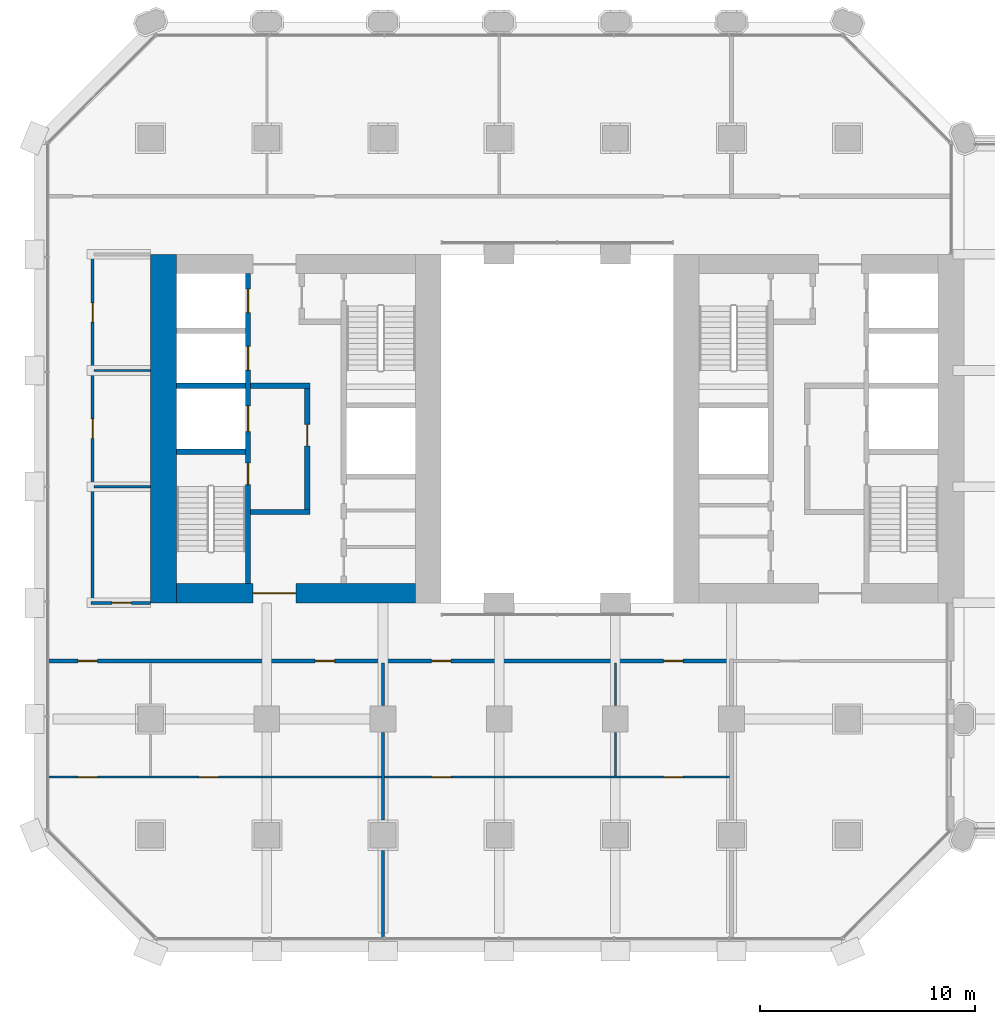
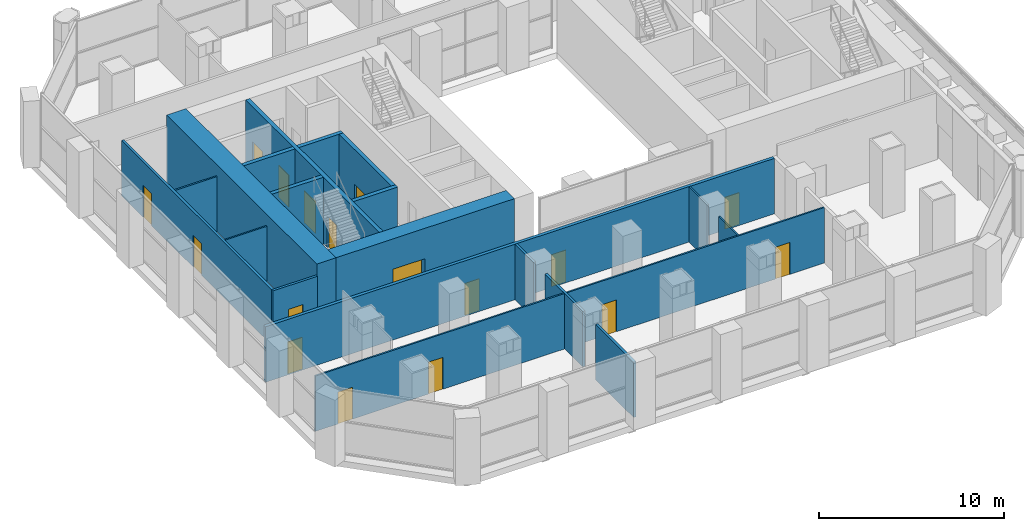
# One storey, part 27 of 42: 20 walls, 17 doors, 17 openings.
"""IFC4 building model written with IfcOpenShell, lengths in metres."""

from ifc_helpers import new_model, si_unit, direction, frame, frame_2d, origin, place, context, subcontext, project, spatial, rectangle, extrude, material, layer, layer_set, type_object, element, fill, save


model = new_model("IFC4")

# Units and contexts
model_context = context("Model", 3, precision=1e-05, world=origin(), true_north=direction((0.0, 1.0)))
body_context = subcontext(model_context, "Body", "Model", "MODEL_VIEW")
ifc_project = project(units=[si_unit("LENGTHUNIT", "METRE"), si_unit("AREAUNIT", "SQUARE_METRE"), si_unit("VOLUMEUNIT", "CUBIC_METRE"), si_unit("PLANEANGLEUNIT", "RADIAN"), si_unit("MASSUNIT", "GRAM", prefix="KILO")], contexts=[model_context])

# Site, building, storey
site_placement = place(None, origin())
site = spatial("IfcSite", under=ifc_project, at=site_placement, CompositionType="ELEMENT")
building_placement = place(site_placement, origin())
building = spatial("IfcBuilding", under=site, at=building_placement, Name="Tabaq Tower and Sports Hall", CompositionType="ELEMENT")
storey_placement = place(building_placement, frame((0.0, 0.0, 19.800048828125)))
storey = spatial("IfcBuildingStorey", under=building, at=storey_placement, Name="L03", CompositionType="ELEMENT", Elevation=19.800048828125)

# Wall
ifc_material_1 = material(Name="Concrete C60/75", Category="concrete")
ifc_layer_1 = layer(ifc_material_1, 1.199951171875)
ifc_layer_set_1 = layer_set([ifc_layer_1], Name="Core wall 1200 Concrete C60/75")
wall_type_1 = type_object("IfcWallType", Name="Core wall 1200 Concrete C60/75", PredefinedType="SOLIDWALL", material=ifc_layer_set_1)
wall_1_placement = place(storey_placement, frame((6.0, 16.199951171875, 0.0), z_axis=(0.0, 0.0, 1.0), x_axis=(0.0, 1.0, 0.0)))
element("IfcWall", 1, at=wall_1_placement, inside=storey, type_object=wall_type_1, Name="Core wall W L03", PredefinedType="SOLIDWALL", context=body_context, shape_type="SweptSolid", body=[
    extrude(rectangle(XDim=16.199951171875, YDim=1.199951171875, at=frame_2d((8.10009765625, 0.0))), origin(), (0.0, 0.0, 1.0), 4.39990234375),
])

# Wall, opening, door
ifc_material_2 = material(Name="Concrete C60/75", Category="concrete")
ifc_layer_2 = layer(ifc_material_2, 0.89990234375)
ifc_layer_set_2 = layer_set([ifc_layer_2], Name="Core wall 900 Concrete C60/75")
wall_type_2 = type_object("IfcWallType", Name="Core wall 900 Concrete C60/75", PredefinedType="SOLIDWALL", material=ifc_layer_set_2)
wall_2_placement = place(storey_placement, frame((17.699951171875, 16.64990234375, 0.0), z_axis=(0.0, 0.0, 1.0), x_axis=(-1.0, 0.0, 0.0)))
wall_2 = element("IfcWall", 2, at=wall_2_placement, inside=storey, type_object=wall_type_2, Name="Core wall W L03", PredefinedType="SOLIDWALL", context=body_context, shape_type="SweptSolid", body=[
    extrude(rectangle(XDim=11.099853515625, YDim=0.89990234375, at=frame_2d((5.5498046875, 0.0))), origin(), (0.0, 0.0, 1.0), 4.39990234375),
])
opening_1_placement = place(wall_2_placement, frame((5.550048828125, 0.0, 0.0)))
opening_1 = element("IfcOpeningElement", 3, at=opening_1_placement, cuts=wall_2, Name="Opening PD-WL03-01", PredefinedType="OPENING", context=body_context, shape_type="SweptSolid", body=[
    extrude(rectangle(XDim=2.0, YDim=2.39990234375, at=frame_2d((1.0, 1.199951171875))), frame((0.0, 0.449951171875, 0.0), z_axis=(0.0, -1.0, 0.0), x_axis=(1.0, 0.0, 0.0)), (0.0, 0.0, 1.0), 0.89990234375),
])
ifc_material_3 = material(Name="Steel fire door", Category="steel")
door_type_1 = type_object("IfcDoorType", Name="Core entrance door 2000", OperationType="DOUBLE_DOOR_SINGLE_SWING", PredefinedType="DOOR", material=ifc_material_3)
door_1_placement = place(opening_1_placement, origin())
door_1 = element("IfcDoor", 4, at=door_1_placement, inside=storey, type_object=door_type_1, Name="Core entrance south W L03", OperationType="DOUBLE_DOOR_SINGLE_SWING", OverallHeight=2.39990234375, OverallWidth=2.0, PredefinedType="DOOR", context=body_context, shape_type="SweptSolid", body=[
    extrude(rectangle(XDim=2.0, YDim=2.39990234375, at=frame_2d((1.0, 1.199951171875))), frame((0.0, 0.02490234375, 0.0), z_axis=(0.0, -1.0, 0.0), x_axis=(1.0, 0.0, 0.0)), (0.0, 0.0, 1.0), 0.050048828125),
])
fill(opening_1, door_1)

# Wall, openings, doors
ifc_material_4 = material(Name="Blockwork", Category="masonry")
ifc_layer_3 = layer(ifc_material_4, 0.199951171875)
ifc_layer_set_3 = layer_set([ifc_layer_3], Name="Fire compartment wall 200 Blockwork")
wall_type_3 = type_object("IfcWallType", Name="Fire compartment wall 200 Blockwork", PredefinedType="PARTITIONING", material=ifc_layer_set_3)
wall_3_placement = place(storey_placement, frame((0.60009765625, 13.5, 0.0), z_axis=(0.0, 0.0, 1.0), x_axis=(1.0, 0.0, 0.0)))
wall_3 = element("IfcWall", 5, at=wall_3_placement, inside=storey, type_object=wall_type_3, Name="Compartment wall L03", PredefinedType="PARTITIONING", context=body_context, shape_type="SweptSolid", body=[
    extrude(rectangle(XDim=31.699951171875, YDim=0.199951171875, at=frame_2d((15.85009765625, 0.0))), origin(), (0.0, 0.0, 1.0), 3.64990234375),
])
opening_2_placement = place(wall_3_placement, frame((12.449951171875, 0.0, 0.0)))
opening_2 = element("IfcOpeningElement", 6, at=opening_2_placement, cuts=wall_3, Name="Opening L03-009", PredefinedType="OPENING", context=body_context, shape_type="SweptSolid", body=[
    extrude(rectangle(XDim=0.89990234375, YDim=2.10009765625, at=frame_2d((0.449951171875, 1.050048828125))), frame((0.0, 0.10009765625, 0.0), z_axis=(0.0, -1.0, 0.0), x_axis=(1.0, 0.0, 0.0)), (0.0, 0.0, 1.0), 0.199951171875),
])
opening_3_placement = place(wall_3_placement, frame((1.425048828125, 0.0, 0.0)))
opening_3 = element("IfcOpeningElement", 7, at=opening_3_placement, cuts=wall_3, Name="Opening L03-010", PredefinedType="OPENING", context=body_context, shape_type="SweptSolid", body=[
    extrude(rectangle(XDim=0.89990234375, YDim=2.10009765625, at=frame_2d((0.449951171875, 1.050048828125))), frame((0.0, 0.10009765625, 0.0), z_axis=(0.0, -1.0, 0.0), x_axis=(1.0, 0.0, 0.0)), (0.0, 0.0, 1.0), 0.199951171875),
])
opening_4_placement = place(wall_3_placement, frame((17.85009765625, 0.0, 0.0)))
opening_4 = element("IfcOpeningElement", 8, at=opening_4_placement, cuts=wall_3, Name="Opening L03-011", PredefinedType="OPENING", context=body_context, shape_type="SweptSolid", body=[
    extrude(rectangle(XDim=0.89990234375, YDim=2.10009765625, at=frame_2d((0.449951171875, 1.050048828125))), frame((0.0, 0.10009765625, 0.0), z_axis=(0.0, -1.0, 0.0), x_axis=(1.0, 0.0, 0.0)), (0.0, 0.0, 1.0), 0.199951171875),
])
opening_5_placement = place(wall_3_placement, frame((28.64990234375, 0.0, 0.0)))
opening_5 = element("IfcOpeningElement", 9, at=opening_5_placement, cuts=wall_3, Name="Opening L03-012", PredefinedType="OPENING", context=body_context, shape_type="SweptSolid", body=[
    extrude(rectangle(XDim=0.89990234375, YDim=2.10009765625, at=frame_2d((0.449951171875, 1.050048828125))), frame((0.0, 0.10009765625, 0.0), z_axis=(0.0, -1.0, 0.0), x_axis=(1.0, 0.0, 0.0)), (0.0, 0.0, 1.0), 0.199951171875),
])
ifc_material_5 = material(Name="Steel fire door", Category="steel")
door_type_2 = type_object("IfcDoorType", Name="Entrance door 900 left hand", OperationType="SINGLE_SWING_LEFT", PredefinedType="DOOR", material=ifc_material_5)
door_2_placement = place(opening_2_placement, origin())
door_2 = element("IfcDoor", 10, at=door_2_placement, inside=storey, type_object=door_type_2, Name="Entrance door L03-009", OperationType="SINGLE_SWING_LEFT", OverallHeight=2.10009765625, OverallWidth=0.89990234375, PredefinedType="DOOR", context=body_context, shape_type="SweptSolid", body=[
    extrude(rectangle(XDim=0.89990234375, YDim=2.10009765625, at=frame_2d((0.449951171875, 1.050048828125))), frame((0.0, 0.02490234375, 0.0), z_axis=(0.0, -1.0, 0.0), x_axis=(1.0, 0.0, 0.0)), (0.0, 0.0, 1.0), 0.050048828125),
])
fill(opening_2, door_2)
door_3_placement = place(opening_5_placement, origin())
door_3 = element("IfcDoor", 11, at=door_3_placement, inside=storey, type_object=door_type_2, Name="Entrance door L03-012", OperationType="SINGLE_SWING_LEFT", OverallHeight=2.10009765625, OverallWidth=0.89990234375, PredefinedType="DOOR", context=body_context, shape_type="SweptSolid", body=[
    extrude(rectangle(XDim=0.89990234375, YDim=2.10009765625, at=frame_2d((0.449951171875, 1.050048828125))), frame((0.0, 0.02490234375, 0.0), z_axis=(0.0, -1.0, 0.0), x_axis=(1.0, 0.0, 0.0)), (0.0, 0.0, 1.0), 0.050048828125),
])
fill(opening_5, door_3)
ifc_material_6 = material(Name="Steel fire door", Category="steel")
door_type_3 = type_object("IfcDoorType", Name="Entrance door 900 right hand", OperationType="SINGLE_SWING_RIGHT", PredefinedType="DOOR", material=ifc_material_6)
door_4_placement = place(opening_3_placement, origin())
door_4 = element("IfcDoor", 12, at=door_4_placement, inside=storey, type_object=door_type_3, Name="Entrance door L03-010", OperationType="SINGLE_SWING_RIGHT", OverallHeight=2.10009765625, OverallWidth=0.89990234375, PredefinedType="DOOR", context=body_context, shape_type="SweptSolid", body=[
    extrude(rectangle(XDim=0.89990234375, YDim=2.10009765625, at=frame_2d((0.449951171875, 1.050048828125))), frame((0.0, 0.02490234375, 0.0), z_axis=(0.0, -1.0, 0.0), x_axis=(1.0, 0.0, 0.0)), (0.0, 0.0, 1.0), 0.050048828125),
])
fill(opening_3, door_4)
door_5_placement = place(opening_4_placement, origin())
door_5 = element("IfcDoor", 13, at=door_5_placement, inside=storey, type_object=door_type_3, Name="Entrance door L03-011", OperationType="SINGLE_SWING_RIGHT", OverallHeight=2.10009765625, OverallWidth=0.89990234375, PredefinedType="DOOR", context=body_context, shape_type="SweptSolid", body=[
    extrude(rectangle(XDim=0.89990234375, YDim=2.10009765625, at=frame_2d((0.449951171875, 1.050048828125))), frame((0.0, 0.02490234375, 0.0), z_axis=(0.0, -1.0, 0.0), x_axis=(1.0, 0.0, 0.0)), (0.0, 0.0, 1.0), 0.050048828125),
])
fill(opening_4, door_5)

ifc_material_7 = material(Name="Gypsum board on steel studs", Category="steel")
ifc_layer_4 = layer(ifc_material_7, 0.10009765625)
ifc_layer_set_4 = layer_set([ifc_layer_4], Name="Partition 100 Gypsum board")
wall_type_4 = type_object("IfcWallType", Name="Partition 100 Gypsum board", PredefinedType="PARTITIONING", material=ifc_layer_set_4)
wall_4_placement = place(storey_placement, frame((16.125, 8.10009765625, 0.0), z_axis=(0.0, 0.0, 1.0), x_axis=(-1.0, 0.0, 0.0)))
wall_4 = element("IfcWall", 14, at=wall_4_placement, inside=storey, type_object=wall_type_4, Name="Partition wall L03", PredefinedType="PARTITIONING", context=body_context, shape_type="SweptSolid", body=[
    extrude(rectangle(XDim=15.52490234375, YDim=0.10009765625, at=frame_2d((7.762451171875, 0.0))), origin(), (0.0, 0.0, 1.0), 3.64990234375),
])
opening_6_placement = place(wall_4_placement, frame((7.574951171875, 0.0, 0.0)))
opening_6 = element("IfcOpeningElement", 15, at=opening_6_placement, cuts=wall_4, Name="Opening L03-013", PredefinedType="OPENING", context=body_context, shape_type="SweptSolid", body=[
    extrude(rectangle(XDim=0.89990234375, YDim=2.10009765625, at=frame_2d((0.449951171875, 1.050048828125))), frame((0.0, 0.050048828125, 0.0), z_axis=(0.0, -1.0, 0.0), x_axis=(1.0, 0.0, 0.0)), (0.0, 0.0, 1.0), 0.10009765625),
])
opening_7_placement = place(wall_4_placement, frame((13.199951171875, 0.0, 0.0)))
opening_7 = element("IfcOpeningElement", 16, at=opening_7_placement, cuts=wall_4, Name="Opening L03-014", PredefinedType="OPENING", context=body_context, shape_type="SweptSolid", body=[
    extrude(rectangle(XDim=0.89990234375, YDim=2.10009765625, at=frame_2d((0.449951171875, 1.050048828125))), frame((0.0, 0.050048828125, 0.0), z_axis=(0.0, -1.0, 0.0), x_axis=(1.0, 0.0, 0.0)), (0.0, 0.0, 1.0), 0.10009765625),
])
ifc_material_8 = material(Name="Timber leaf in steel frame", Category="steel")
door_type_4 = type_object("IfcDoorType", Name="Internal door 900 left hand", OperationType="SINGLE_SWING_LEFT", PredefinedType="DOOR", material=ifc_material_8)
door_6_placement = place(opening_7_placement, origin())
door_6 = element("IfcDoor", 17, at=door_6_placement, inside=storey, type_object=door_type_4, Name="Internal door L03-014", OperationType="SINGLE_SWING_LEFT", OverallHeight=2.10009765625, OverallWidth=0.89990234375, PredefinedType="DOOR", context=body_context, shape_type="SweptSolid", body=[
    extrude(rectangle(XDim=0.89990234375, YDim=2.10009765625, at=frame_2d((0.449951171875, 1.050048828125))), frame((0.0, 0.02490234375, 0.0), z_axis=(0.0, -1.0, 0.0), x_axis=(1.0, 0.0, 0.0)), (0.0, 0.0, 1.0), 0.050048828125),
])
fill(opening_7, door_6)
ifc_material_9 = material(Name="Timber leaf in steel frame", Category="steel")
door_type_5 = type_object("IfcDoorType", Name="Internal door 900 right hand", OperationType="SINGLE_SWING_RIGHT", PredefinedType="DOOR", material=ifc_material_9)
door_7_placement = place(opening_6_placement, origin())
door_7 = element("IfcDoor", 18, at=door_7_placement, inside=storey, type_object=door_type_5, Name="Internal door L03-013", OperationType="SINGLE_SWING_RIGHT", OverallHeight=2.10009765625, OverallWidth=0.89990234375, PredefinedType="DOOR", context=body_context, shape_type="SweptSolid", body=[
    extrude(rectangle(XDim=0.89990234375, YDim=2.10009765625, at=frame_2d((0.449951171875, 1.050048828125))), frame((0.0, 0.02490234375, 0.0), z_axis=(0.0, -1.0, 0.0), x_axis=(1.0, 0.0, 0.0)), (0.0, 0.0, 1.0), 0.050048828125),
])
fill(opening_6, door_7)

wall_5_placement = place(storey_placement, frame((32.300048828125, 8.10009765625, 0.0), z_axis=(0.0, 0.0, 1.0), x_axis=(-1.0, 0.0, 0.0)))
wall_5 = element("IfcWall", 19, at=wall_5_placement, inside=storey, type_object=wall_type_4, Name="Partition wall L03", PredefinedType="PARTITIONING", context=body_context, shape_type="SweptSolid", body=[
    extrude(rectangle(XDim=16.025146484375, YDim=0.10009765625, at=frame_2d((8.0126953125, 0.0))), origin(), (0.0, 0.0, 1.0), 3.64990234375),
])
opening_8_placement = place(wall_5_placement, frame((12.949951171875, 0.0, 0.0)))
opening_8 = element("IfcOpeningElement", 20, at=opening_8_placement, cuts=wall_5, Name="Opening L03-015", PredefinedType="OPENING", context=body_context, shape_type="SweptSolid", body=[
    extrude(rectangle(XDim=0.89990234375, YDim=2.10009765625, at=frame_2d((0.449951171875, 1.050048828125))), frame((0.0, 0.050048828125, 0.0), z_axis=(0.0, -1.0, 0.0), x_axis=(1.0, 0.0, 0.0)), (0.0, 0.0, 1.0), 0.10009765625),
])
opening_9_placement = place(wall_5_placement, frame((2.14990234375, 0.0, 0.0)))
opening_9 = element("IfcOpeningElement", 21, at=opening_9_placement, cuts=wall_5, Name="Opening L03-016", PredefinedType="OPENING", context=body_context, shape_type="SweptSolid", body=[
    extrude(rectangle(XDim=0.89990234375, YDim=2.10009765625, at=frame_2d((0.449951171875, 1.050048828125))), frame((0.0, 0.050048828125, 0.0), z_axis=(0.0, -1.0, 0.0), x_axis=(1.0, 0.0, 0.0)), (0.0, 0.0, 1.0), 0.10009765625),
])
door_8_placement = place(opening_9_placement, origin())
door_8 = element("IfcDoor", 22, at=door_8_placement, inside=storey, type_object=door_type_4, Name="Internal door L03-016", OperationType="SINGLE_SWING_LEFT", OverallHeight=2.10009765625, OverallWidth=0.89990234375, PredefinedType="DOOR", context=body_context, shape_type="SweptSolid", body=[
    extrude(rectangle(XDim=0.89990234375, YDim=2.10009765625, at=frame_2d((0.449951171875, 1.050048828125))), frame((0.0, 0.02490234375, 0.0), z_axis=(0.0, -1.0, 0.0), x_axis=(1.0, 0.0, 0.0)), (0.0, 0.0, 1.0), 0.050048828125),
])
fill(opening_9, door_8)
door_9_placement = place(opening_8_placement, origin())
door_9 = element("IfcDoor", 23, at=door_9_placement, inside=storey, type_object=door_type_5, Name="Internal door L03-015", OperationType="SINGLE_SWING_RIGHT", OverallHeight=2.10009765625, OverallWidth=0.89990234375, PredefinedType="DOOR", context=body_context, shape_type="SweptSolid", body=[
    extrude(rectangle(XDim=0.89990234375, YDim=2.10009765625, at=frame_2d((0.449951171875, 1.050048828125))), frame((0.0, 0.02490234375, 0.0), z_axis=(0.0, -1.0, 0.0), x_axis=(1.0, 0.0, 0.0)), (0.0, 0.0, 1.0), 0.050048828125),
])
fill(opening_8, door_9)

# Walls
wall_6_placement = place(storey_placement, frame((27.0, 8.14990234375, 0.0), z_axis=(0.0, 0.0, 1.0), x_axis=(0.0, 1.0, 0.0)))
element("IfcWall", 24, at=wall_6_placement, inside=storey, type_object=wall_type_4, Name="Partition wall L03", PredefinedType="PARTITIONING", context=body_context, shape_type="SweptSolid", body=[
    extrude(rectangle(XDim=2.030029296875, YDim=0.10009765625, at=frame_2d((1.01513671875, 0.0))), origin(), (0.0, 0.0, 1.0), 3.64990234375),
])
wall_7_placement = place(storey_placement, frame((27.0, 11.419921875, 0.0), z_axis=(0.0, 0.0, 1.0), x_axis=(0.0, 1.0, 0.0)))
element("IfcWall", 25, at=wall_7_placement, inside=storey, type_object=wall_type_4, Name="Partition wall L03", PredefinedType="PARTITIONING", context=body_context, shape_type="SweptSolid", body=[
    extrude(rectangle(XDim=1.97998046875, YDim=0.10009765625, at=frame_2d((0.989990234375, 0.0))), origin(), (0.0, 0.0, 1.0), 3.64990234375),
])
for number, where, z_axis, x_axis, name in (
    (26, (5.39990234375, 21.60009765625, 0.0), (0.0, 0.0, 1.0), (-1.0, 0.0, 0.0), "Partition wall L03"),
    (27, (5.39990234375, 27.0, 0.0), (0.0, 0.0, 1.0), (-1.0, 0.0, 0.0), "Partition wall L03"),
):
    element("IfcWall", number, at=place(storey_placement, frame(where, z_axis=z_axis, x_axis=x_axis)), inside=storey, type_object=wall_type_4, Name=name, PredefinedType="PARTITIONING", context=body_context, shape_type="SweptSolid", body=[
        extrude(rectangle(XDim=2.625, YDim=0.10009765625, at=frame_2d((1.3125, 0.0))), origin(), (0.0, 0.0, 1.0), 3.64990234375),
    ])

# Wall, opening, door
ifc_material_10 = material(Name="Blockwork", Category="masonry")
ifc_layer_5 = layer(ifc_material_10, 0.14990234375)
ifc_layer_set_5 = layer_set([ifc_layer_5], Name="Separating wall 150 Blockwork")
wall_type_5 = type_object("IfcWallType", Name="Separating wall 150 Blockwork", PredefinedType="PARTITIONING", material=ifc_layer_set_5)
wall_8_placement = place(storey_placement, frame((5.39990234375, 16.199951171875, 0.0), z_axis=(0.0, 0.0, 1.0), x_axis=(-1.0, 0.0, 0.0)))
wall_8 = element("IfcWall", 28, at=wall_8_placement, inside=storey, type_object=wall_type_5, Name="Separating wall L03", PredefinedType="PARTITIONING", context=body_context, shape_type="SweptSolid", body=[
    extrude(rectangle(XDim=2.77490234375, YDim=0.14990234375, at=frame_2d((1.387451171875, 0.0))), origin(), (0.0, 0.0, 1.0), 3.64990234375),
])
opening_10_placement = place(wall_8_placement, frame((0.89990234375, 0.0, 0.0)))
opening_10 = element("IfcOpeningElement", 29, at=opening_10_placement, cuts=wall_8, Name="Opening L03-006", PredefinedType="OPENING", context=body_context, shape_type="SweptSolid", body=[
    extrude(rectangle(XDim=0.89990234375, YDim=2.10009765625, at=frame_2d((0.449951171875, 1.050048828125))), frame((0.0, 0.074951171875, 0.0), z_axis=(0.0, -1.0, 0.0), x_axis=(1.0, 0.0, 0.0)), (0.0, 0.0, 1.0), 0.14990234375),
])
door_10_placement = place(opening_10_placement, origin())
door_10 = element("IfcDoor", 30, at=door_10_placement, inside=storey, type_object=door_type_5, Name="Internal door L03-006", OperationType="SINGLE_SWING_RIGHT", OverallHeight=2.10009765625, OverallWidth=0.89990234375, PredefinedType="DOOR", context=body_context, shape_type="SweptSolid", body=[
    extrude(rectangle(XDim=0.89990234375, YDim=2.10009765625, at=frame_2d((0.449951171875, 1.050048828125))), frame((0.0, 0.02490234375, 0.0), z_axis=(0.0, -1.0, 0.0), x_axis=(1.0, 0.0, 0.0)), (0.0, 0.0, 1.0), 0.050048828125),
])
fill(opening_10, door_10)

# Wall, openings, doors
wall_9_placement = place(storey_placement, frame((2.699951171875, 16.27490234375, 0.0), z_axis=(0.0, 0.0, 1.0), x_axis=(0.0, 1.0, 0.0)))
wall_9 = element("IfcWall", 31, at=wall_9_placement, inside=storey, type_object=wall_type_5, Name="Separating wall L03", PredefinedType="PARTITIONING", context=body_context, shape_type="SweptSolid", body=[
    extrude(rectangle(XDim=16.2001953125, YDim=0.14990234375, at=frame_2d((8.10009765625, 0.0))), origin(), (0.0, 0.0, 1.0), 3.64990234375),
])
opening_11_placement = place(wall_9_placement, frame((7.574951171875, 0.0, 0.0)))
opening_11 = element("IfcOpeningElement", 32, at=opening_11_placement, cuts=wall_9, Name="Opening L03-007", PredefinedType="OPENING", context=body_context, shape_type="SweptSolid", body=[
    extrude(rectangle(XDim=0.89990234375, YDim=2.10009765625, at=frame_2d((0.449951171875, 1.050048828125))), frame((0.0, 0.074951171875, 0.0), z_axis=(0.0, -1.0, 0.0), x_axis=(1.0, 0.0, 0.0)), (0.0, 0.0, 1.0), 0.14990234375),
])
opening_12_placement = place(wall_9_placement, frame((12.97509765625, 0.0, 0.0)))
opening_12 = element("IfcOpeningElement", 33, at=opening_12_placement, cuts=wall_9, Name="Opening L03-008", PredefinedType="OPENING", context=body_context, shape_type="SweptSolid", body=[
    extrude(rectangle(XDim=0.89990234375, YDim=2.10009765625, at=frame_2d((0.449951171875, 1.050048828125))), frame((0.0, 0.074951171875, 0.0), z_axis=(0.0, -1.0, 0.0), x_axis=(1.0, 0.0, 0.0)), (0.0, 0.0, 1.0), 0.14990234375),
])
door_11_placement = place(opening_11_placement, origin())
door_11 = element("IfcDoor", 34, at=door_11_placement, inside=storey, type_object=door_type_5, Name="Internal door L03-007", OperationType="SINGLE_SWING_RIGHT", OverallHeight=2.10009765625, OverallWidth=0.89990234375, PredefinedType="DOOR", context=body_context, shape_type="SweptSolid", body=[
    extrude(rectangle(XDim=0.89990234375, YDim=2.10009765625, at=frame_2d((0.449951171875, 1.050048828125))), frame((0.0, 0.02490234375, 0.0), z_axis=(0.0, -1.0, 0.0), x_axis=(1.0, 0.0, 0.0)), (0.0, 0.0, 1.0), 0.050048828125),
])
fill(opening_11, door_11)
door_12_placement = place(opening_12_placement, origin())
door_12 = element("IfcDoor", 35, at=door_12_placement, inside=storey, type_object=door_type_5, Name="Internal door L03-008", OperationType="SINGLE_SWING_RIGHT", OverallHeight=2.10009765625, OverallWidth=0.89990234375, PredefinedType="DOOR", context=body_context, shape_type="SweptSolid", body=[
    extrude(rectangle(XDim=0.89990234375, YDim=2.10009765625, at=frame_2d((0.449951171875, 1.050048828125))), frame((0.0, 0.02490234375, 0.0), z_axis=(0.0, -1.0, 0.0), x_axis=(1.0, 0.0, 0.0)), (0.0, 0.0, 1.0), 0.050048828125),
])
fill(opening_12, door_12)

# Walls
wall_10_placement = place(storey_placement, frame((16.199951171875, 0.60009765625, 0.0), z_axis=(0.0, 0.0, 1.0), x_axis=(0.0, 1.0, 0.0)))
element("IfcWall", 36, at=wall_10_placement, inside=storey, type_object=wall_type_5, Name="Separating wall L03", PredefinedType="PARTITIONING", context=body_context, shape_type="SweptSolid", body=[
    extrude(rectangle(XDim=4.09912109375, YDim=0.14990234375, at=frame_2d((2.049560546875, 0.0))), origin(), (0.0, 0.0, 1.0), 3.64990234375),
])
wall_11_placement = place(storey_placement, frame((16.199951171875, 6.1005859375, 0.0), z_axis=(0.0, 0.0, 1.0), x_axis=(0.0, 1.0, 0.0)))
element("IfcWall", 37, at=wall_11_placement, inside=storey, type_object=wall_type_5, Name="Separating wall L03", PredefinedType="PARTITIONING", context=body_context, shape_type="SweptSolid", body=[
    extrude(rectangle(XDim=4.079345703125, YDim=0.14990234375, at=frame_2d((2.03955078125, 0.0))), origin(), (0.0, 0.0, 1.0), 3.64990234375),
])
wall_12_placement = place(storey_placement, frame((16.199951171875, 11.419921875, 0.0), z_axis=(0.0, 0.0, 1.0), x_axis=(0.0, 1.0, 0.0)))
element("IfcWall", 38, at=wall_12_placement, inside=storey, type_object=wall_type_5, Name="Separating wall L03", PredefinedType="PARTITIONING", context=body_context, shape_type="SweptSolid", body=[
    extrude(rectangle(XDim=1.97998046875, YDim=0.14990234375, at=frame_2d((0.989990234375, 0.0))), origin(), (0.0, 0.0, 1.0), 3.64990234375),
])

# Wall, openings, doors
ifc_material_11 = material(Name="Concrete C40/50", Category="concrete")
ifc_layer_6 = layer(ifc_material_11, 0.25)
ifc_layer_set_6 = layer_set([ifc_layer_6], Name="Shaft and stair wall 250 Concrete C40/50")
wall_type_6 = type_object("IfcWallType", Name="Shaft and stair wall 250 Concrete C40/50", PredefinedType="SOLIDWALL", material=ifc_layer_set_6)
wall_13_placement = place(storey_placement, frame((9.925048828125, 17.10009765625, 0.0), z_axis=(0.0, 0.0, 1.0), x_axis=(0.0, 1.0, 0.0)))
wall_13 = element("IfcWall", 39, at=wall_13_placement, inside=storey, type_object=wall_type_6, Name="Shaft wall W L03", PredefinedType="SOLIDWALL", context=body_context, shape_type="SweptSolid", body=[
    extrude(rectangle(XDim=14.39990234375, YDim=0.25, at=frame_2d((7.199951171875, 0.0))), origin(), (0.0, 0.0, 1.0), 4.39990234375),
])
opening_13_placement = place(wall_13_placement, frame((4.60009765625, 0.0, 0.0)))
opening_13 = element("IfcOpeningElement", 40, at=opening_13_placement, cuts=wall_13, Name="Opening SD-WL03-03", PredefinedType="OPENING", context=body_context, shape_type="SweptSolid", body=[
    extrude(rectangle(XDim=1.0, YDim=2.10009765625, at=frame_2d((0.5, 1.050048828125))), frame((0.0, 0.125, 0.0), z_axis=(0.0, -1.0, 0.0), x_axis=(1.0, 0.0, 0.0)), (0.0, 0.0, 1.0), 0.25),
])
opening_14_placement = place(wall_13_placement, frame((7.0625, 0.0, 0.0)))
opening_14 = element("IfcOpeningElement", 41, at=opening_14_placement, cuts=wall_13, Name="Opening LD-FF1-L03", PredefinedType="OPENING", context=body_context, shape_type="SweptSolid", body=[
    extrude(rectangle(XDim=1.199951171875, YDim=2.10009765625, at=frame_2d((0.60009765625, 1.050048828125))), frame((0.0, 0.125, 0.0), z_axis=(0.0, -1.0, 0.0), x_axis=(1.0, 0.0, 0.0)), (0.0, 0.0, 1.0), 0.25),
])
opening_15_placement = place(wall_13_placement, frame((9.925048828125, 0.0, 0.0)))
opening_15 = element("IfcOpeningElement", 42, at=opening_15_placement, cuts=wall_13, Name="Opening LD-LR1-L03", PredefinedType="OPENING", context=body_context, shape_type="SweptSolid", body=[
    extrude(rectangle(XDim=1.10009765625, YDim=2.10009765625, at=frame_2d((0.550048828125, 1.050048828125))), frame((0.0, 0.125, 0.0), z_axis=(0.0, -1.0, 0.0), x_axis=(1.0, 0.0, 0.0)), (0.0, 0.0, 1.0), 0.25),
])
opening_16_placement = place(wall_13_placement, frame((12.58740234375, 0.0, 0.0)))
opening_16 = element("IfcOpeningElement", 43, at=opening_16_placement, cuts=wall_13, Name="Opening LD-LR2-L03", PredefinedType="OPENING", context=body_context, shape_type="SweptSolid", body=[
    extrude(rectangle(XDim=1.10009765625, YDim=2.10009765625, at=frame_2d((0.550048828125, 1.050048828125))), frame((0.0, 0.125, 0.0), z_axis=(0.0, -1.0, 0.0), x_axis=(1.0, 0.0, 0.0)), (0.0, 0.0, 1.0), 0.25),
])
ifc_material_12 = material(Name="Stainless steel", Category="steel")
door_type_6 = type_object("IfcDoorType", Name="Lift landing door 1100", OperationType="DOUBLE_DOOR_SLIDING", PredefinedType="DOOR", material=ifc_material_12)
door_13_placement = place(opening_15_placement, origin())
door_13 = element("IfcDoor", 44, at=door_13_placement, inside=storey, type_object=door_type_6, Name="Lift landing door LR1 W L03", OperationType="DOUBLE_DOOR_SLIDING", OverallHeight=2.10009765625, OverallWidth=1.10009765625, PredefinedType="DOOR", context=body_context, shape_type="SweptSolid", body=[
    extrude(rectangle(XDim=1.10009765625, YDim=2.10009765625, at=frame_2d((0.550048828125, 1.050048828125))), frame((0.0, 0.02490234375, 0.0), z_axis=(0.0, -1.0, 0.0), x_axis=(1.0, 0.0, 0.0)), (0.0, 0.0, 1.0), 0.050048828125),
])
fill(opening_15, door_13)
door_14_placement = place(opening_16_placement, origin())
door_14 = element("IfcDoor", 45, at=door_14_placement, inside=storey, type_object=door_type_6, Name="Lift landing door LR2 W L03", OperationType="DOUBLE_DOOR_SLIDING", OverallHeight=2.10009765625, OverallWidth=1.10009765625, PredefinedType="DOOR", context=body_context, shape_type="SweptSolid", body=[
    extrude(rectangle(XDim=1.10009765625, YDim=2.10009765625, at=frame_2d((0.550048828125, 1.050048828125))), frame((0.0, 0.02490234375, 0.0), z_axis=(0.0, -1.0, 0.0), x_axis=(1.0, 0.0, 0.0)), (0.0, 0.0, 1.0), 0.050048828125),
])
fill(opening_16, door_14)
ifc_material_13 = material(Name="Stainless steel", Category="steel")
door_type_7 = type_object("IfcDoorType", Name="Lift landing door 1200", OperationType="DOUBLE_DOOR_SLIDING", PredefinedType="DOOR", material=ifc_material_13)
door_15_placement = place(opening_14_placement, origin())
door_15 = element("IfcDoor", 46, at=door_15_placement, inside=storey, type_object=door_type_7, Name="Lift landing door FF1 W L03", OperationType="DOUBLE_DOOR_SLIDING", OverallHeight=2.10009765625, OverallWidth=1.199951171875, PredefinedType="DOOR", context=body_context, shape_type="SweptSolid", body=[
    extrude(rectangle(XDim=1.199951171875, YDim=2.10009765625, at=frame_2d((0.60009765625, 1.050048828125))), frame((0.0, 0.02490234375, 0.0), z_axis=(0.0, -1.0, 0.0), x_axis=(1.0, 0.0, 0.0)), (0.0, 0.0, 1.0), 0.050048828125),
])
fill(opening_14, door_15)
ifc_material_14 = material(Name="Steel fire door", Category="steel")
door_type_8 = type_object("IfcDoorType", Name="Stair door 1000", OperationType="SINGLE_SWING_LEFT", PredefinedType="DOOR", material=ifc_material_14)
door_16_placement = place(opening_13_placement, origin())
door_16 = element("IfcDoor", 47, at=door_16_placement, inside=storey, type_object=door_type_8, Name="Stair door ST1 W L03", OperationType="SINGLE_SWING_LEFT", OverallHeight=2.10009765625, OverallWidth=1.0, PredefinedType="DOOR", context=body_context, shape_type="SweptSolid", body=[
    extrude(rectangle(XDim=1.0, YDim=2.10009765625, at=frame_2d((0.5, 1.050048828125))), frame((0.0, 0.02490234375, 0.0), z_axis=(0.0, -1.0, 0.0), x_axis=(1.0, 0.0, 0.0)), (0.0, 0.0, 1.0), 0.050048828125),
])
fill(opening_13, door_16)

# Walls
for number, where, z_axis, x_axis, name in (
    (48, (6.60009765625, 23.22509765625, 0.0), (0.0, 0.0, 1.0), (1.0, 0.0, 0.0), "Stair enclosure wall W L03"),
    (49, (6.60009765625, 26.300048828125, 0.0), (0.0, 0.0, 1.0), (1.0, 0.0, 0.0), "Shaft wall W L03"),
):
    element("IfcWall", number, at=place(storey_placement, frame(where, z_axis=z_axis, x_axis=x_axis)), inside=storey, type_object=wall_type_6, Name=name, PredefinedType="SOLIDWALL", context=body_context, shape_type="SweptSolid", body=[
        extrude(rectangle(XDim=3.199951171875, YDim=0.25, at=frame_2d((1.60009765625, 0.0))), origin(), (0.0, 0.0, 1.0), 4.39990234375),
    ])
for number, where, z_axis, x_axis, name in (
    (50, (10.050048828125, 26.300048828125, 0.0), (0.0, 0.0, 1.0), (1.0, 0.0, 0.0), "Fire-fighting lobby wall W L03"),
    (51, (10.050048828125, 20.425048828125, 0.0), (0.0, 0.0, 1.0), (1.0, 0.0, 0.0), "Fire-fighting lobby wall W L03"),
):
    element("IfcWall", number, at=place(storey_placement, frame(where, z_axis=z_axis, x_axis=x_axis)), inside=storey, type_object=wall_type_6, Name=name, PredefinedType="SOLIDWALL", context=body_context, shape_type="SweptSolid", body=[
        extrude(rectangle(XDim=2.75, YDim=0.25, at=frame_2d((1.375, 0.0))), origin(), (0.0, 0.0, 1.0), 4.39990234375),
    ])

# Wall, opening, door
wall_14_placement = place(storey_placement, frame((12.675048828125, 20.550048828125, 0.0), z_axis=(0.0, 0.0, 1.0), x_axis=(0.0, 1.0, 0.0)))
wall_14 = element("IfcWall", 52, at=wall_14_placement, inside=storey, type_object=wall_type_6, Name="Fire-fighting lobby wall W L03", PredefinedType="SOLIDWALL", context=body_context, shape_type="SweptSolid", body=[
    extrude(rectangle(XDim=5.625, YDim=0.25, at=frame_2d((2.8125, 0.0))), origin(), (0.0, 0.0, 1.0), 4.39990234375),
])
opening_17_placement = place(wall_14_placement, frame((2.949951171875, 0.0, 0.0)))
opening_17 = element("IfcOpeningElement", 53, at=opening_17_placement, cuts=wall_14, Name="Opening FD-WL03-04", PredefinedType="OPENING", context=body_context, shape_type="SweptSolid", body=[
    extrude(rectangle(XDim=1.0, YDim=2.10009765625, at=frame_2d((0.5, 1.050048828125))), frame((0.0, 0.125, 0.0), z_axis=(0.0, -1.0, 0.0), x_axis=(1.0, 0.0, 0.0)), (0.0, 0.0, 1.0), 0.25),
])
ifc_material_15 = material(Name="Steel fire door", Category="steel")
door_type_9 = type_object("IfcDoorType", Name="Fire-fighting lobby door 1000", OperationType="SINGLE_SWING_LEFT", PredefinedType="DOOR", material=ifc_material_15)
door_17_placement = place(opening_17_placement, origin())
door_17 = element("IfcDoor", 54, at=door_17_placement, inside=storey, type_object=door_type_9, Name="Fire-fighting lobby door W L03", OperationType="SINGLE_SWING_LEFT", OverallHeight=2.10009765625, OverallWidth=1.0, PredefinedType="DOOR", context=body_context, shape_type="SweptSolid", body=[
    extrude(rectangle(XDim=1.0, YDim=2.10009765625, at=frame_2d((0.5, 1.050048828125))), frame((0.0, 0.02490234375, 0.0), z_axis=(0.0, -1.0, 0.0), x_axis=(1.0, 0.0, 0.0)), (0.0, 0.0, 1.0), 0.050048828125),
])
fill(opening_17, door_17)

save(model, "model.ifc")
